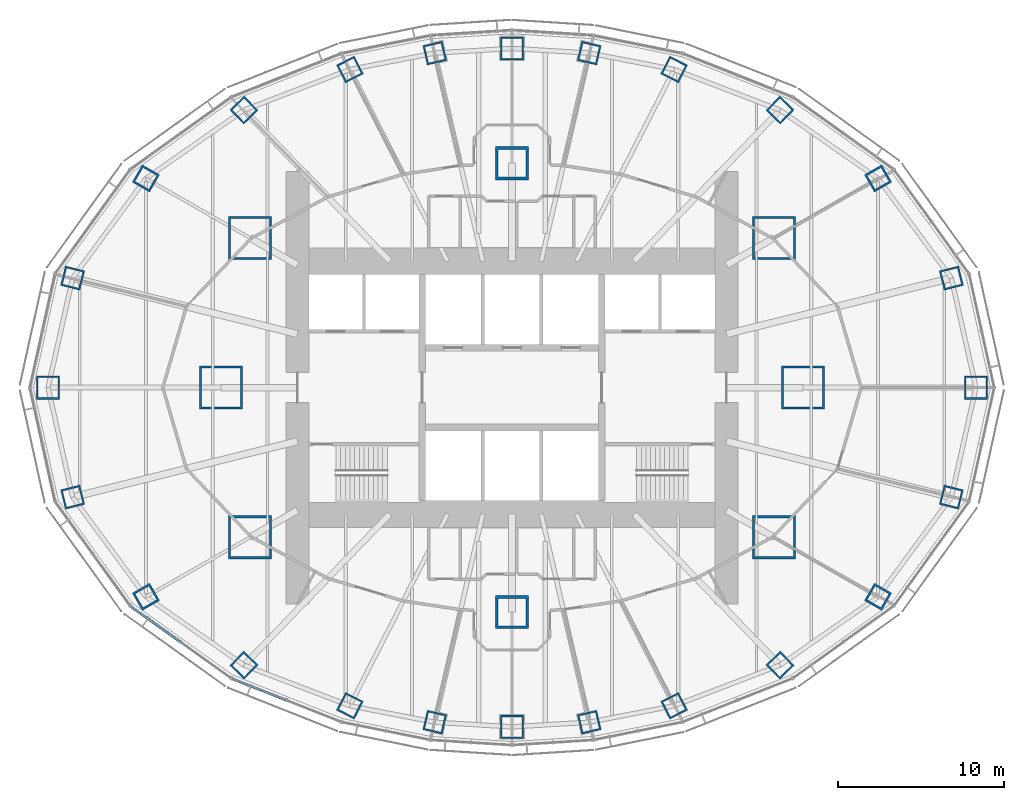
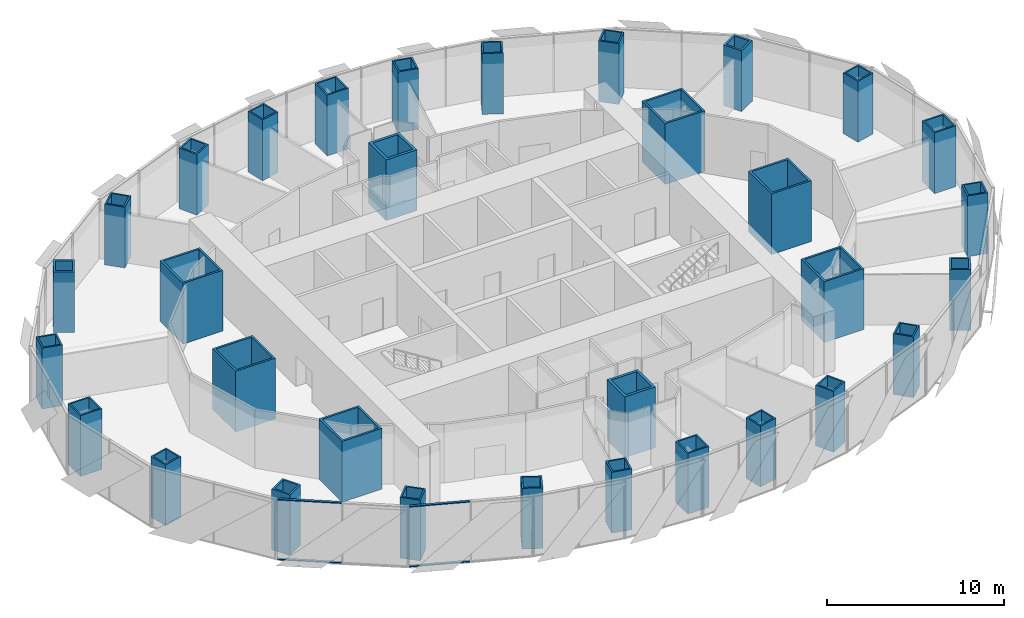
# One storey, part 1 of 18: 32 columns, 4 members, 2 elements without a shape of their own.
"""IFC4 building model written with IfcOpenShell, lengths in metres."""

from ifc_helpers import new_model, si_unit, direction, frame, origin, origin_2d, place, context, subcontext, project, spatial, rectangle, hollow_rectangle, extrude, material, material_profile, profile_set, type_object, element, aggregate, save


model = new_model("IFC4")

# Units and contexts
model_context = context("Model", 3, precision=1e-05, world=origin(), true_north=direction((0.0, 1.0)))
body_context = subcontext(model_context, "Body", "Model", "MODEL_VIEW")
ifc_project = project(units=[si_unit("LENGTHUNIT", "METRE"), si_unit("AREAUNIT", "SQUARE_METRE"), si_unit("VOLUMEUNIT", "CUBIC_METRE"), si_unit("PLANEANGLEUNIT", "RADIAN"), si_unit("MASSUNIT", "GRAM", prefix="KILO")], contexts=[model_context])

# Site, building, storey
site_placement = place(None, origin())
site = spatial("IfcSite", under=ifc_project, at=site_placement, CompositionType="ELEMENT")
building_placement = place(site_placement, origin())
building = spatial("IfcBuilding", under=site, at=building_placement, Name="Lantaw Convention Tower", CompositionType="ELEMENT")
storey_placement = place(building_placement, frame((0.0, 0.0, 138.39990234375)))
storey = spatial("IfcBuildingStorey", under=building, at=storey_placement, Name="L32", CompositionType="ELEMENT", Elevation=138.39990234375)

# Columns
ifc_material_1 = material(Name="Steel EN 10025-3 S460N", Category="steel")
ifc_material_profile_1 = material_profile(ifc_material_1, hollow_rectangle(XDim=2.0, YDim=2.0, WallThickness=0.169921875, at=origin_2d()), Name="BOX2000X170")
ifc_material_2 = material(Name="Concrete C60/75", Category="concrete")
ifc_material_profile_2 = material_profile(ifc_material_2, rectangle(XDim=1.659912109375, YDim=1.659912109375, at=origin_2d()), Name="Concrete fill of BOX2000X170")
ifc_profile_set_1 = profile_set([ifc_material_profile_1, ifc_material_profile_2], Name="Steel EN 10025-3 S460N")
column_type_1 = type_object("IfcColumnType", Name="Column MC BOX2000X170", PredefinedType="COLUMN", material=ifc_profile_set_1)
for number, where, z_axis, x_axis, name in (
    (1, (0.0, 13.5, 0.0), (0.0, 0.0, 1.0), (1.0, 0.0, 0.0), "Mega column M3"),
    (2, (0.0, -13.5, 0.0), (0.0, 0.0, 1.0), (1.0, 0.0, 0.0), "Mega column M7"),
):
    element("IfcColumn", number, at=place(storey_placement, frame(where, z_axis=z_axis, x_axis=x_axis)), inside=storey, type_object=column_type_1, Name=name, PredefinedType="COLUMN", context=body_context, shape_type="SweptSolid", body=[
        extrude(hollow_rectangle(XDim=2.0, YDim=2.0, WallThickness=0.169921875, at=origin_2d()), origin(), (0.0, 0.0, 1.0), 4.2001953125),
    ])
ifc_material_profile_3 = material_profile(ifc_material_1, hollow_rectangle(XDim=2.60009765625, YDim=2.60009765625, WallThickness=0.1298828125, at=origin_2d()), Name="BOX2600X130")
ifc_material_profile_4 = material_profile(ifc_material_2, rectangle(XDim=2.340087890625, YDim=2.340087890625, at=origin_2d()), Name="Concrete fill of BOX2600X130")
ifc_profile_set_2 = profile_set([ifc_material_profile_3, ifc_material_profile_4], Name="Steel EN 10025-3 S460N")
column_type_2 = type_object("IfcColumnType", Name="Column MC BOX2600X130", PredefinedType="COLUMN", material=ifc_profile_set_2)
for number, where, z_axis, x_axis, name in (
    (3, (17.5, 0.0, 0.0), (0.0, 0.0, 1.0), (1.0, 0.0, 0.0), "Mega column M1"),
    (4, (15.75, 9.0, 0.0), (0.0, 0.0, 1.0), (1.0, 0.0, 0.0), "Mega column M2"),
    (5, (-15.75, 9.0, 0.0), (0.0, 0.0, 1.0), (1.0, 0.0, 0.0), "Mega column M4"),
    (6, (-17.5, 0.0, 0.0), (0.0, 0.0, 1.0), (1.0, 0.0, 0.0), "Mega column M5"),
    (7, (-15.75, -9.0, 0.0), (0.0, 0.0, 1.0), (1.0, 0.0, 0.0), "Mega column M6"),
    (8, (15.75, -9.0, 0.0), (0.0, 0.0, 1.0), (1.0, 0.0, 0.0), "Mega column M8"),
):
    element("IfcColumn", number, at=place(storey_placement, frame(where, z_axis=z_axis, x_axis=x_axis)), inside=storey, type_object=column_type_2, Name=name, PredefinedType="COLUMN", context=body_context, shape_type="SweptSolid", body=[
        extrude(hollow_rectangle(XDim=2.60009765625, YDim=2.60009765625, WallThickness=0.1298828125, at=origin_2d()), origin(), (0.0, 0.0, 1.0), 4.2001953125),
    ])
ifc_material_profile_5 = material_profile(ifc_material_1, hollow_rectangle(XDim=1.199951171875, YDim=1.199951171875, WallThickness=0.10009765625, at=origin_2d()), Name="BOX1200X100")
ifc_material_profile_6 = material_profile(ifc_material_2, rectangle(XDim=1.0, YDim=1.0, at=origin_2d()), Name="Concrete fill of BOX1200X100")
ifc_profile_set_3 = profile_set([ifc_material_profile_5, ifc_material_profile_6], Name="Steel EN 10025-3 S460N")
column_type_3 = type_object("IfcColumnType", Name="Column PC BOX1200X100", PredefinedType="COLUMN", material=ifc_profile_set_3)
for number, where, z_axis, x_axis, name in (
    (9, (26.419921875, 6.587158203125, 0.0), (0.0, 0.0, 1.0), (0.970295726276, 0.2419218956, 0.0), "Perimeter column P2"),
    (10, (16.11767578125, 16.690185546875, 0.0), (0.0, 0.0, 1.0), (0.694658370459, 0.719339800339, 0.0), "Perimeter column P4"),
    (11, (9.74853515625, 19.1328125, 0.0), (0.0, 0.0, 1.0), (0.45399049974, 0.891006524188, 0.0), "Perimeter column P5"),
    (12, (4.64501953125, 20.1201171875, 0.0), (0.0, 0.0, 1.0), (0.224951054344, 0.974370064785, 0.0), "Perimeter column P6"),
    (13, (-4.64501953125, 20.1201171875, 0.0), (0.0, 0.0, 1.0), (0.974370064785, 0.224951054344, 0.0), "Perimeter column P8"),
    (14, (-9.74853515625, 19.1328125, 0.0), (0.0, 0.0, 1.0), (0.891006524188, 0.45399049974, 0.0), "Perimeter column P9"),
    (15, (-16.11767578125, 16.690185546875, 0.0), (0.0, 0.0, 1.0), (0.719339800339, 0.694658370459, 0.0), "Perimeter column P10"),
    (16, (-26.419921875, 6.587158203125, 0.0), (0.0, 0.0, 1.0), (0.2419218956, 0.970295726276, 0.0), "Perimeter column P12"),
    (17, (-26.419921875, -6.587158203125, 0.0), (0.0, 0.0, 1.0), (0.970295726276, 0.2419218956, 0.0), "Perimeter column P14"),
    (18, (-16.11767578125, -16.690185546875, 0.0), (0.0, 0.0, 1.0), (0.694658370459, 0.719339800339, 0.0), "Perimeter column P16"),
    (19, (-9.74853515625, -19.1328125, 0.0), (0.0, 0.0, 1.0), (0.45399049974, 0.891006524188, 0.0), "Perimeter column P17"),
    (20, (-4.64501953125, -20.1201171875, 0.0), (0.0, 0.0, 1.0), (0.224951054344, 0.974370064785, 0.0), "Perimeter column P18"),
    (21, (4.64501953125, -20.1201171875, 0.0), (0.0, 0.0, 1.0), (0.974370064785, 0.224951054344, 0.0), "Perimeter column P20"),
    (22, (9.74853515625, -19.1328125, 0.0), (0.0, 0.0, 1.0), (0.891006524188, 0.45399049974, 0.0), "Perimeter column P21"),
    (23, (16.11767578125, -16.690185546875, 0.0), (0.0, 0.0, 1.0), (0.719339800339, 0.694658370459, 0.0), "Perimeter column P22"),
    (24, (26.419921875, -6.587158203125, 0.0), (0.0, 0.0, 1.0), (0.2419218956, 0.970295726276, 0.0), "Perimeter column P24"),
):
    element("IfcColumn", number, at=place(storey_placement, frame(where, z_axis=z_axis, x_axis=x_axis)), inside=storey, type_object=column_type_3, Name=name, PredefinedType="COLUMN", context=body_context, shape_type="SweptSolid", body=[
        extrude(hollow_rectangle(XDim=1.199951171875, YDim=1.199951171875, WallThickness=0.10009765625, at=origin_2d()), origin(), (0.0, 0.0, 1.0), 4.2001953125),
    ])
ifc_material_profile_7 = material_profile(ifc_material_1, hollow_rectangle(XDim=1.199951171875, YDim=1.199951171875, WallThickness=0.1201171875, at=origin_2d()), Name="BOX1200X120")
ifc_material_profile_8 = material_profile(ifc_material_2, rectangle(XDim=0.9599609375, YDim=0.9599609375, at=origin_2d()), Name="Concrete fill of BOX1200X120")
ifc_profile_set_4 = profile_set([ifc_material_profile_7, ifc_material_profile_8], Name="Steel EN 10025-3 S460N")
column_type_4 = type_object("IfcColumnType", Name="Column PC BOX1200X120", PredefinedType="COLUMN", material=ifc_profile_set_4)
for number, where, z_axis, x_axis, name in (
    (25, (22.013916015625, 12.579345703125, 0.0), (0.0, 0.0, 1.0), (0.86824298017, 0.496139221777, 0.0), "Perimeter column P3"),
    (26, (-22.013916015625, 12.579345703125, 0.0), (0.0, 0.0, 1.0), (0.496139221777, 0.86824298017, 0.0), "Perimeter column P11"),
    (27, (-22.013916015625, -12.579345703125, 0.0), (0.0, 0.0, 1.0), (0.86824298017, 0.496139221777, 0.0), "Perimeter column P15"),
    (28, (22.013916015625, -12.579345703125, 0.0), (0.0, 0.0, 1.0), (0.496139221777, 0.86824298017, 0.0), "Perimeter column P23"),
):
    element("IfcColumn", number, at=place(storey_placement, frame(where, z_axis=z_axis, x_axis=x_axis)), inside=storey, type_object=column_type_4, Name=name, PredefinedType="COLUMN", context=body_context, shape_type="SweptSolid", body=[
        extrude(hollow_rectangle(XDim=1.199951171875, YDim=1.199951171875, WallThickness=0.1201171875, at=origin_2d()), origin(), (0.0, 0.0, 1.0), 4.2001953125),
    ])
ifc_material_profile_9 = material_profile(ifc_material_1, hollow_rectangle(XDim=1.39990234375, YDim=1.39990234375, WallThickness=0.10009765625, at=origin_2d()), Name="BOX1400X100")
ifc_material_profile_10 = material_profile(ifc_material_2, rectangle(XDim=1.199951171875, YDim=1.199951171875, at=origin_2d()), Name="Concrete fill of BOX1400X100")
ifc_profile_set_5 = profile_set([ifc_material_profile_9, ifc_material_profile_10], Name="Steel EN 10025-3 S460N")
column_type_5 = type_object("IfcColumnType", Name="Column PC BOX1400X100", PredefinedType="COLUMN", material=ifc_profile_set_5)
for number, where, z_axis, x_axis, name in (
    (29, (27.89990234375, 0.0, 0.0), (0.0, 0.0, 1.0), (1.0, 0.0, 0.0), "Perimeter column P1"),
    (30, (0.0, 20.39990234375, 0.0), (0.0, 0.0, 1.0), (1.0, 0.0, 0.0), "Perimeter column P7"),
    (31, (-27.89990234375, 0.0, 0.0), (0.0, 0.0, 1.0), (1.0, 0.0, 0.0), "Perimeter column P13"),
    (32, (0.0, -20.39990234375, 0.0), (0.0, 0.0, 1.0), (1.0, 0.0, 0.0), "Perimeter column P19"),
):
    element("IfcColumn", number, at=place(storey_placement, frame(where, z_axis=z_axis, x_axis=x_axis)), inside=storey, type_object=column_type_5, Name=name, PredefinedType="COLUMN", context=body_context, shape_type="SweptSolid", body=[
        extrude(hollow_rectangle(XDim=1.39990234375, YDim=1.39990234375, WallThickness=0.10009765625, at=origin_2d()), origin(), (0.0, 0.0, 1.0), 4.2001953125),
    ])

# Curtain wall, members
ifc_material_3 = material(Name="Aluminium framed curtain wall", Category="aluminium")
curtain_wall_type = type_object("IfcCurtainWallType", Name="Office curtain wall low rise, pale aluminium", PredefinedType="USERDEFINED", material=ifc_material_3)
curtain_wall_1_placement = place(storey_placement, origin())
curtain_wall_1 = element("IfcCurtainWall", 33, at=curtain_wall_1_placement, inside=storey, type_object=curtain_wall_type, Name="Office curtain wall low rise, pale aluminium L32", ObjectType="UNITISED CURTAIN WALL", PredefinedType="USERDEFINED")
ifc_material_4 = material(Name="Aluminium 6063-T6", Category="aluminium")
ifc_material_profile_11 = material_profile(ifc_material_4, rectangle(XDim=0.159912109375, YDim=0.06494140625, at=origin_2d()), Name="CW-O1 transom 65x160")
ifc_profile_set_6 = profile_set([ifc_material_profile_11], Name="Aluminium 6063-T6")
member_type = type_object("IfcMemberType", Name="CW-O1 transom 65x160", PredefinedType="USERDEFINED", material=ifc_profile_set_6)
member_1_placement = place(storey_placement, frame((-22.916259765625, -13.1630859375, -0.117431640625), z_axis=(0.813221785972, -0.581953887194, 0.0), x_axis=(0.581953887194, 0.813221785972, 0.0)))
member_1 = element("IfcMember", 34, at=member_1_placement, type_object=member_type, Name="CW-O1 transom 1.1", ObjectType="TRANSOM", PredefinedType="USERDEFINED", context=body_context, shape_type="SweptSolid", body=[
    extrude(rectangle(XDim=0.159912109375, YDim=0.06494140625, at=origin_2d()), origin(), (0.0, 0.0, 1.0), 3.645263671875),
])
member_2_placement = place(storey_placement, frame((-22.916259765625, -13.1630859375, 4.017578125), z_axis=(0.813221785972, -0.581953887194, 0.0), x_axis=(0.581953887194, 0.813221785972, 0.0)))
member_2 = element("IfcMember", 35, at=member_2_placement, type_object=member_type, Name="CW-O1 transom 1.2", ObjectType="TRANSOM", PredefinedType="USERDEFINED", context=body_context, shape_type="SweptSolid", body=[
    extrude(rectangle(XDim=0.159912109375, YDim=0.06494140625, at=origin_2d()), origin(), (0.0, 0.0, 1.0), 3.645263671875),
])
aggregate(curtain_wall_1, [member_1, member_2])

curtain_wall_2_placement = place(storey_placement, origin())
curtain_wall_2 = element("IfcCurtainWall", 36, at=curtain_wall_2_placement, inside=storey, type_object=curtain_wall_type, Name="Office curtain wall low rise, pale aluminium L32", ObjectType="UNITISED CURTAIN WALL", PredefinedType="USERDEFINED")
member_3_placement = place(storey_placement, frame((-16.8212890625, -17.505615234375, -0.117431640625), z_axis=(0.929564188507, -0.368660303592, 0.0), x_axis=(0.368660303592, 0.929564188507, 0.0)))
member_3 = element("IfcMember", 37, at=member_3_placement, type_object=member_type, Name="CW-O1 transom 1.1", ObjectType="TRANSOM", PredefinedType="USERDEFINED", context=body_context, shape_type="SweptSolid", body=[
    extrude(rectangle(XDim=0.159912109375, YDim=0.06494140625, at=origin_2d()), origin(), (0.0, 0.0, 1.0), 3.470703125),
])
member_4_placement = place(storey_placement, frame((-16.8212890625, -17.505615234375, 4.017578125), z_axis=(0.929564188507, -0.368660303592, 0.0), x_axis=(0.368660303592, 0.929564188507, 0.0)))
member_4 = element("IfcMember", 38, at=member_4_placement, type_object=member_type, Name="CW-O1 transom 1.2", ObjectType="TRANSOM", PredefinedType="USERDEFINED", context=body_context, shape_type="SweptSolid", body=[
    extrude(rectangle(XDim=0.159912109375, YDim=0.06494140625, at=origin_2d()), origin(), (0.0, 0.0, 1.0), 3.470703125),
])
aggregate(curtain_wall_2, [member_3, member_4])

save(model, "model.ifc")
